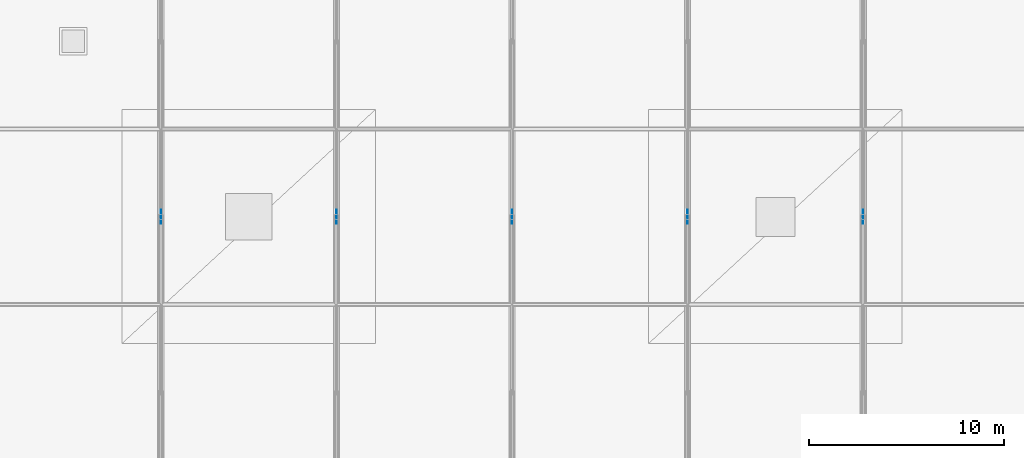
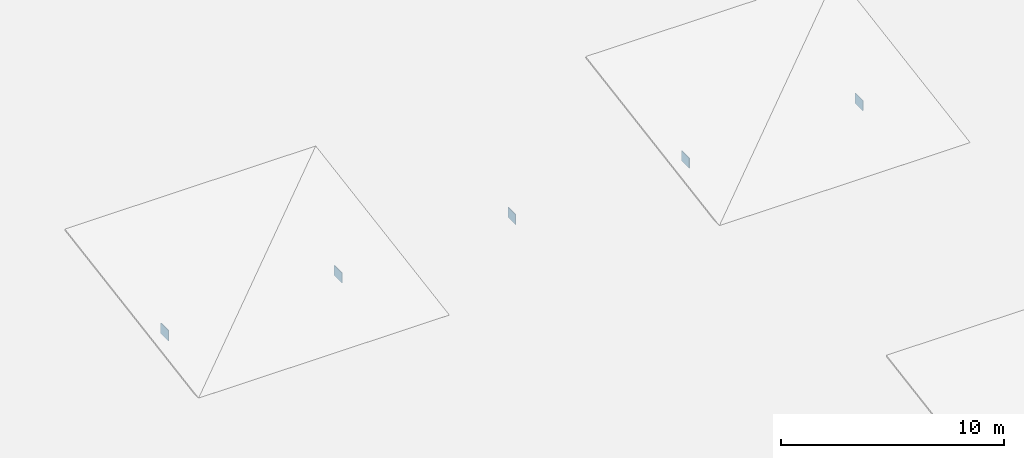
# One storey, part 176 of 196: 5 plates.
"""IFC4 building model written with IfcOpenShell, lengths in metres."""

from ifc_helpers import new_model, si_unit, direction, frame, origin, origin_2d, place, context, subcontext, project, spatial, rectangle, extrude, material, layer, layer_set, type_object, element, save


model = new_model("IFC4")

# Units and contexts
model_context = context("Model", 3, precision=1e-05, world=origin(), true_north=direction((0.0, 1.0)))
body_context = subcontext(model_context, "Body", "Model", "MODEL_VIEW")
ifc_project = project(units=[si_unit("LENGTHUNIT", "METRE"), si_unit("AREAUNIT", "SQUARE_METRE"), si_unit("VOLUMEUNIT", "CUBIC_METRE"), si_unit("PLANEANGLEUNIT", "RADIAN"), si_unit("MASSUNIT", "GRAM", prefix="KILO")], contexts=[model_context])

# Site, building, storey
site_placement = place(None, origin())
site = spatial("IfcSite", under=ifc_project, at=site_placement, CompositionType="ELEMENT")
building_placement = place(site_placement, origin())
building = spatial("IfcBuilding", under=site, at=building_placement, Name="Barlavento Convention Centre", CompositionType="ELEMENT")
storey_placement = place(building_placement, frame((0.0, 0.0, 18.0)))
storey = spatial("IfcBuildingStorey", under=building, at=storey_placement, Name="L03", CompositionType="ELEMENT", Elevation=18.0)

# Plates
ifc_material = material(Name="Steel S460", Category="steel")
ifc_layer = layer(ifc_material, 0.033935546875)
ifc_layer_set = layer_set([ifc_layer], Name="STR-PLT-NODE-EX1")
plate_type = type_object("IfcPlateType", Name="STR-PLT-NODE-EX1", PredefinedType="USERDEFINED", material=ifc_layer_set)
for number, where, z_axis, x_axis, name in (
    (1, (72.0, 103.5, -1.129150390625), (0.0, 0.0, 1.0), (1.0, 0.0, 0.0), "Space frame node plate EXN1"),
    (2, (81.0, 103.5, -1.125), (0.0, 0.0, 1.0), (1.0, 0.0, 0.0), "Space frame node plate EXN1"),
    (3, (90.0, 103.5, -1.074951171875), (0.0, 0.0, 1.0), (1.0, 0.0, 0.0), "Space frame node plate EXN1"),
    (4, (99.0, 103.5, -1.129150390625), (0.0, 0.0, 1.0), (1.0, 0.0, 0.0), "Space frame node plate EXN1"),
    (5, (108.0, 103.5, -1.125), (0.0, 0.0, 1.0), (1.0, 0.0, 0.0), "Space frame node plate EXN1"),
):
    element("IfcPlate", number, at=place(storey_placement, frame(where, z_axis=z_axis, x_axis=x_axis)), inside=storey, type_object=plate_type, Name=name, ObjectType="GUSSET_PLATE", PredefinedType="USERDEFINED", context=body_context, shape_type="SweptSolid", body=[
        extrude(rectangle(XDim=0.033935546875, YDim=0.699951171875, at=origin_2d()), origin(), (0.0, 0.0, 1.0), 0.56005859375),
    ])

save(model, "model.ifc")
